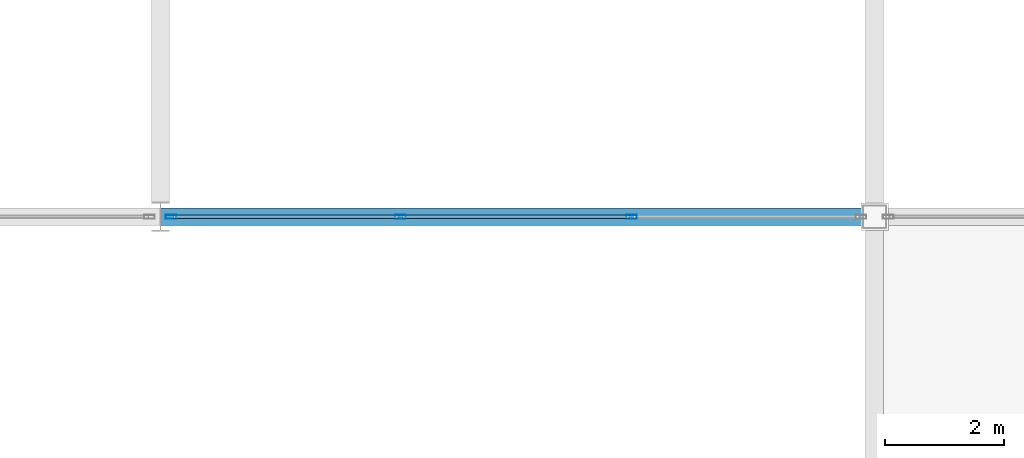
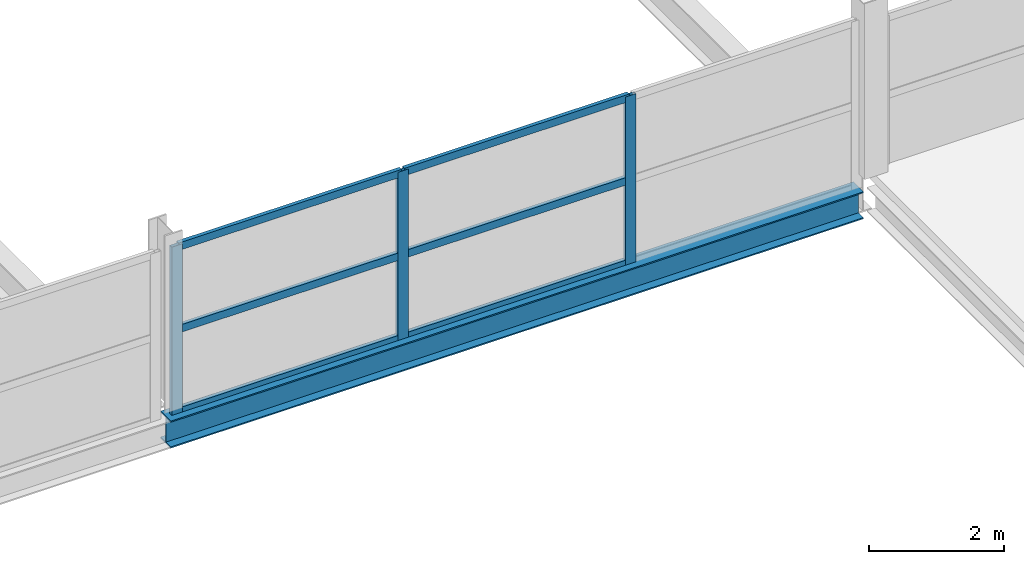
# One storey, part 82 of 134: 9 members, 1 beam, 1 element without a shape of its own.
"""IFC4 building model written with IfcOpenShell, lengths in metres."""

from ifc_helpers import new_model, si_unit, direction, frame, origin, origin_2d, place, context, subcontext, project, spatial, hollow_rectangle, i_section, extrude, material, layer, layer_set, material_profile, profile_set, type_object, element, aggregate, save


model = new_model("IFC4")

# Units and contexts
model_context = context("Model", 3, precision=1e-05, world=origin(), true_north=direction((0.0, 1.0)))
body_context = subcontext(model_context, "Body", "Model", "MODEL_VIEW")
ifc_project = project(units=[si_unit("LENGTHUNIT", "METRE"), si_unit("AREAUNIT", "SQUARE_METRE"), si_unit("VOLUMEUNIT", "CUBIC_METRE"), si_unit("PLANEANGLEUNIT", "RADIAN"), si_unit("MASSUNIT", "GRAM", prefix="KILO")], contexts=[model_context])

# Site, building, storey
site_placement = place(None, origin())
site = spatial("IfcSite", under=ifc_project, at=site_placement, CompositionType="ELEMENT")
building_placement = place(site_placement, origin())
building = spatial("IfcBuilding", under=site, at=building_placement, Name="Tamarisk Ironworks Central Station", CompositionType="ELEMENT")
storey_placement = place(building_placement, frame((0.0, 0.0, 12.60009765625)))
storey = spatial("IfcBuildingStorey", under=building, at=storey_placement, Name="L02", CompositionType="ELEMENT", Elevation=12.60009765625)

# Beam
ifc_material_1 = material(Name="Structural steel S355J2", Category="steel")
ifc_material_profile_1 = material_profile(ifc_material_1, i_section(OverallWidth=0.300048828125, OverallDepth=0.489990234375, WebThickness=0.011962890625, FlangeThickness=0.02294921875, at=origin_2d()), Name="HEA 500")
ifc_profile_set_1 = profile_set([ifc_material_profile_1], Name="Structural steel S355J2")
beam_type = type_object("IfcBeamType", Name="BM-G05", PredefinedType="BEAM", material=ifc_profile_set_1)
beam_placement = place(storey_placement, frame((128.00390625, 21.60009765625, -0.4951171875), z_axis=(1.0, 0.0, 0.0), x_axis=(0.0, 1.0, 0.0)))
element("IfcBeam", 1, at=beam_placement, inside=storey, type_object=beam_type, Name="L02 primary girder X-0315", PredefinedType="BEAM", context=body_context, shape_type="SweptSolid", body=[
    extrude(i_section(OverallWidth=0.300048828125, OverallDepth=0.489990234375, WebThickness=0.011962890625, FlangeThickness=0.02294921875, at=origin_2d()), origin(), (0.0, 0.0, 1.0), 11.80810546875),
])

# Curtain wall, members
ifc_material_2 = material(Name="Anodized aluminium alloy 6063-T6", Category="aluminium")
ifc_layer = layer(ifc_material_2, 0.179931640625)
ifc_layer_set = layer_set([ifc_layer], Name="Anodized aluminium alloy 6063-T6")
curtain_wall_type = type_object("IfcCurtainWallType", Name="CW-07", PredefinedType="USERDEFINED", material=ifc_layer_set)
curtain_wall_placement = place(storey_placement, origin())
curtain_wall = element("IfcCurtainWall", 2, at=curtain_wall_placement, inside=storey, type_object=curtain_wall_type, Name="Train shed ES clerestory curtain wall 128", ObjectType="GLAZED CURTAIN WALL", PredefinedType="USERDEFINED")
ifc_material_profile_2 = material_profile(ifc_material_2, hollow_rectangle(XDim=0.06494140625, YDim=0.179931640625, WallThickness=0.00390625, at=origin_2d()), Name="ALUM 180x65")
ifc_profile_set_2 = profile_set([ifc_material_profile_2], Name="Anodized aluminium alloy 6063-T6")
member_type_1 = type_object("IfcMemberType", Name="CWM-02", PredefinedType="MULLION", material=ifc_profile_set_2)
member_1_placement = place(storey_placement, frame((128.180419921875, 21.60009765625, -0.260009765625), z_axis=(0.0, 0.0, 1.0), x_axis=(0.0, 1.0, 0.0)))
member_1 = element("IfcMember", 3, at=member_1_placement, type_object=member_type_1, Name="CW07 mullion 1", PredefinedType="MULLION", context=body_context, shape_type="SweptSolid", body=[
    extrude(hollow_rectangle(XDim=0.06494140625, YDim=0.179931640625, WallThickness=0.00390625, at=origin_2d()), origin(), (0.0, 0.0, 1.0), 3.039794921875),
])
member_2_placement = place(storey_placement, frame((132.03271484375, 21.60009765625, -0.260009765625), z_axis=(0.0, 0.0, 1.0), x_axis=(0.0, 1.0, 0.0)))
member_2 = element("IfcMember", 4, at=member_2_placement, type_object=member_type_1, Name="CW07 mullion 2", PredefinedType="MULLION", context=body_context, shape_type="SweptSolid", body=[
    extrude(hollow_rectangle(XDim=0.06494140625, YDim=0.179931640625, WallThickness=0.00390625, at=origin_2d()), origin(), (0.0, 0.0, 1.0), 3.039794921875),
])
member_3_placement = place(storey_placement, frame((135.917236328125, 21.60009765625, -0.260009765625), z_axis=(0.0, 0.0, 1.0), x_axis=(0.0, 1.0, 0.0)))
member_3 = element("IfcMember", 5, at=member_3_placement, type_object=member_type_1, Name="CW07 mullion 3", PredefinedType="MULLION", context=body_context, shape_type="SweptSolid", body=[
    extrude(hollow_rectangle(XDim=0.06494140625, YDim=0.179931640625, WallThickness=0.00390625, at=origin_2d()), origin(), (0.0, 0.0, 1.0), 3.039794921875),
])
ifc_material_profile_3 = material_profile(ifc_material_2, hollow_rectangle(XDim=0.06494140625, YDim=0.135009765625, WallThickness=0.00341796875, at=origin_2d()), Name="ALUM 135x65")
ifc_profile_set_3 = profile_set([ifc_material_profile_3], Name="Anodized aluminium alloy 6063-T6")
member_type_2 = type_object("IfcMemberType", Name="CWT-02", PredefinedType="USERDEFINED", material=ifc_profile_set_3)
member_4_placement = place(storey_placement, frame((128.208984375, 21.60009765625, -0.2275390625), z_axis=(1.0, 0.0, 0.0), x_axis=(0.0, 1.0, 0.0)))
member_4 = element("IfcMember", 6, at=member_4_placement, type_object=member_type_2, Name="CW07 transom 1.1", ObjectType="TRANSOM", PredefinedType="USERDEFINED", context=body_context, shape_type="SweptSolid", body=[
    extrude(hollow_rectangle(XDim=0.06494140625, YDim=0.135009765625, WallThickness=0.00341796875, at=origin_2d()), origin(), (0.0, 0.0, 1.0), 3.795166015625),
])
member_5_placement = place(storey_placement, frame((128.208984375, 21.60009765625, 1.260009765625), z_axis=(1.0, 0.0, 0.0), x_axis=(0.0, 1.0, 0.0)))
member_5 = element("IfcMember", 7, at=member_5_placement, type_object=member_type_2, Name="CW07 transom 1.2", ObjectType="TRANSOM", PredefinedType="USERDEFINED", context=body_context, shape_type="SweptSolid", body=[
    extrude(hollow_rectangle(XDim=0.06494140625, YDim=0.135009765625, WallThickness=0.00341796875, at=origin_2d()), origin(), (0.0, 0.0, 1.0), 3.795166015625),
])
member_6_placement = place(storey_placement, frame((128.208984375, 21.60009765625, 2.747314453125), z_axis=(1.0, 0.0, 0.0), x_axis=(0.0, 1.0, 0.0)))
member_6 = element("IfcMember", 8, at=member_6_placement, type_object=member_type_2, Name="CW07 transom 1.3", ObjectType="TRANSOM", PredefinedType="USERDEFINED", context=body_context, shape_type="SweptSolid", body=[
    extrude(hollow_rectangle(XDim=0.06494140625, YDim=0.135009765625, WallThickness=0.00341796875, at=origin_2d()), origin(), (0.0, 0.0, 1.0), 3.795166015625),
])
member_7_placement = place(storey_placement, frame((132.061279296875, 21.60009765625, -0.2275390625), z_axis=(1.0, 0.0, 0.0), x_axis=(0.0, 1.0, 0.0)))
member_7 = element("IfcMember", 9, at=member_7_placement, type_object=member_type_2, Name="CW07 transom 2.1", ObjectType="TRANSOM", PredefinedType="USERDEFINED", context=body_context, shape_type="SweptSolid", body=[
    extrude(hollow_rectangle(XDim=0.06494140625, YDim=0.135009765625, WallThickness=0.00341796875, at=origin_2d()), origin(), (0.0, 0.0, 1.0), 3.82763671875),
])
member_8_placement = place(storey_placement, frame((132.061279296875, 21.60009765625, 1.260009765625), z_axis=(1.0, 0.0, 0.0), x_axis=(0.0, 1.0, 0.0)))
member_8 = element("IfcMember", 10, at=member_8_placement, type_object=member_type_2, Name="CW07 transom 2.2", ObjectType="TRANSOM", PredefinedType="USERDEFINED", context=body_context, shape_type="SweptSolid", body=[
    extrude(hollow_rectangle(XDim=0.06494140625, YDim=0.135009765625, WallThickness=0.00341796875, at=origin_2d()), origin(), (0.0, 0.0, 1.0), 3.82763671875),
])
member_9_placement = place(storey_placement, frame((132.061279296875, 21.60009765625, 2.747314453125), z_axis=(1.0, 0.0, 0.0), x_axis=(0.0, 1.0, 0.0)))
member_9 = element("IfcMember", 11, at=member_9_placement, type_object=member_type_2, Name="CW07 transom 2.3", ObjectType="TRANSOM", PredefinedType="USERDEFINED", context=body_context, shape_type="SweptSolid", body=[
    extrude(hollow_rectangle(XDim=0.06494140625, YDim=0.135009765625, WallThickness=0.00341796875, at=origin_2d()), origin(), (0.0, 0.0, 1.0), 3.82763671875),
])
aggregate(curtain_wall, [member_1, member_2, member_3, member_4, member_5, member_6, member_7, member_8, member_9])

save(model, "model.ifc")
